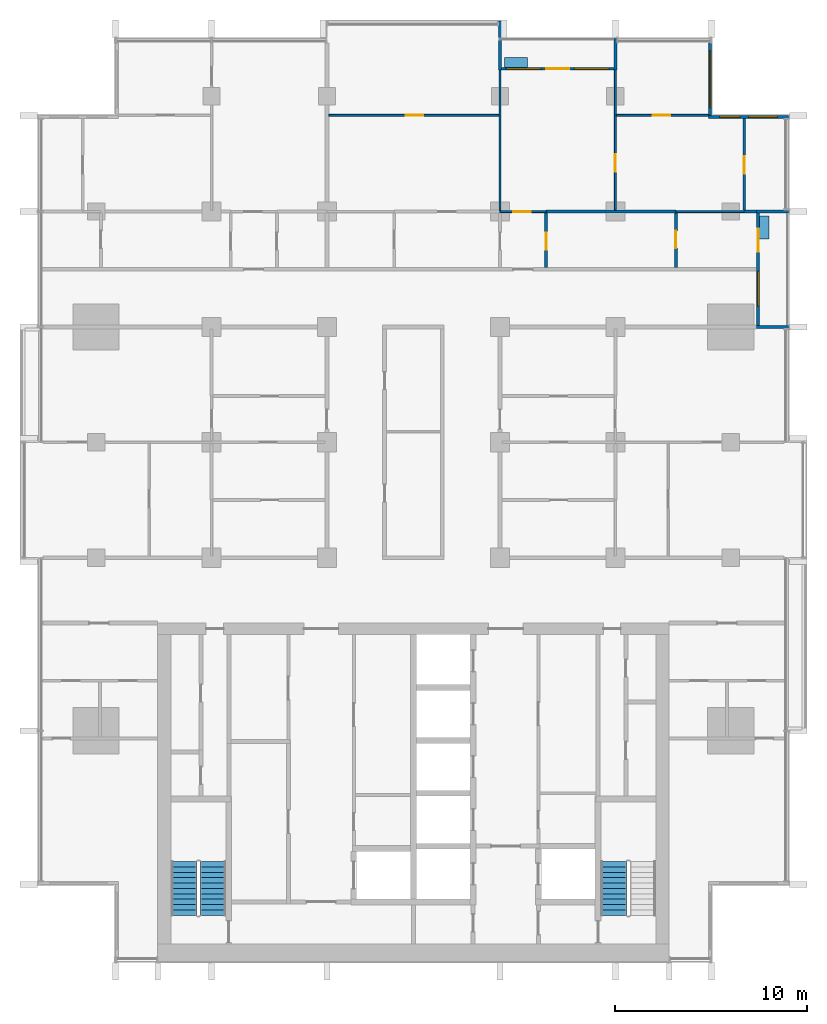
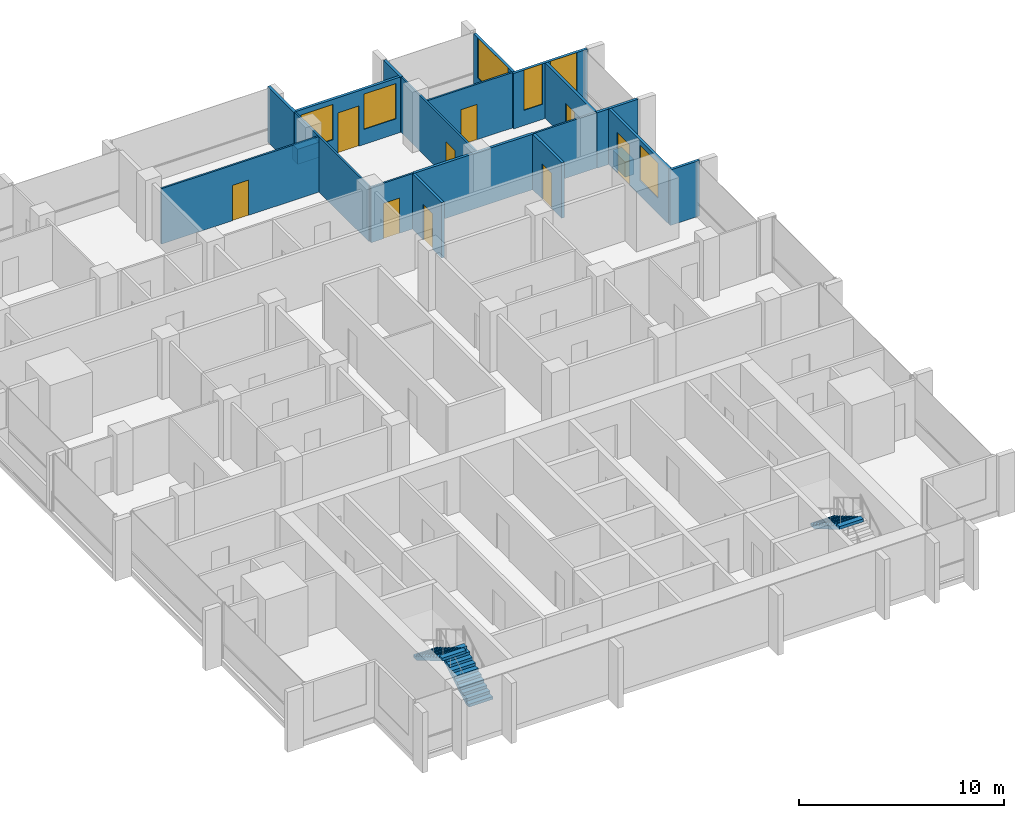
# One storey, part 11 of 17: 21 walls, 9 doors, 6 windows, 3 stair flights, 15 openings, 2 elements without a shape of their own.
"""IFC4 building model written with IfcOpenShell, lengths in metres."""

import ifcopenshell
import ifcopenshell.guid

model = None  # the IFC model being written
_history = None  # IfcOwnerHistory: only IFC2X3 demands one
_inside = {}  # id of a spatial element -> (the spatial element, [elements in it])
_under = {}  # id of a project, library or spatial element -> (it, [spatial elements below it])
_declared = {}  # id of a project -> (the project, [libraries it declares])
_typed = {}  # id of a type object -> (the type object, [elements of that type])
_made_of = {}  # id of a material, layer set ... -> (it, [elements and type objects made of it])


def new_model(schema):
    """Start an empty IFC model of exactly this schema.

    Asked for "IFC4X3", IfcOpenShell would pick the latest addendum, in which some entities
    have other attributes; the version numbers below select the first issue.
    IFC2X3 requires an IfcOwnerHistory on every rooted entity: one is made here for all.
    """
    global model, _history
    if schema == "IFC4X3":
        model = ifcopenshell.file(schema_version=(4, 3, 0, 0))
    else:
        model = ifcopenshell.file(schema=schema)
    _inside.clear()
    _under.clear()
    _declared.clear()
    _typed.clear()
    _made_of.clear()
    _history = None
    if model.schema == "IFC2X3":
        org = make("IfcOrganization", Name="unknown")
        user = make(
            "IfcPersonAndOrganization",
            ThePerson=make("IfcPerson", FamilyName="unknown"),
            TheOrganization=org,
        )
        app = make(
            "IfcApplication",
            ApplicationDeveloper=org,
            Version="unknown",
            ApplicationFullName="unknown",
            ApplicationIdentifier="unknown",
        )
        _history = make(
            "IfcOwnerHistory",
            OwningUser=user,
            OwningApplication=app,
            ChangeAction="ADDED",
            CreationDate=0,
        )
    return model


def make(cls, **values):
    """One entity of the class cls with the attributes given. An attribute that is None is left unset."""
    return model.create_entity(
        cls, **{name: value for name, value in values.items() if value is not None}
    )


def rooted(cls, **values):
    """An entity with a GlobalId (a new one), such as an element, a storey or a relation."""
    return make(cls, GlobalId=ifcopenshell.guid.new(), OwnerHistory=_history, **values)


def si_unit(unit_type, name, prefix=None):
    """IfcSIUnit, for example si_unit("LENGTHUNIT", "METRE", prefix="MILLI")."""
    return make("IfcSIUnit", UnitType=unit_type, Prefix=prefix, Name=name)


def assignment(units):
    """IfcUnitAssignment: the units of a project."""
    return None if units is None else make("IfcUnitAssignment", Units=units)


def point(xyz):
    """IfcCartesianPoint."""
    return None if xyz is None else make("IfcCartesianPoint", Coordinates=xyz)


def direction(xyz):
    """IfcDirection."""
    return None if xyz is None else make("IfcDirection", DirectionRatios=xyz)


def frame(location, z_axis=None, x_axis=None):
    """IfcAxis2Placement3D, a coordinate frame: its origin and axes. An axis left out is left unset."""
    return make(
        "IfcAxis2Placement3D",
        Location=point(location),
        Axis=direction(z_axis),
        RefDirection=direction(x_axis),
    )


def frame_2d(location, x_axis=None):
    """IfcAxis2Placement2D, a coordinate frame in the plane: its origin and x axis."""
    return make(
        "IfcAxis2Placement2D", Location=point(location), RefDirection=direction(x_axis)
    )


def origin():
    """The frame at (0, 0, 0) with its axes left unset."""
    return frame((0.0, 0.0, 0.0))


def place(relative_to, where):
    """IfcLocalPlacement: puts the frame where relative to a parent placement (None: the world)."""
    return make(
        "IfcLocalPlacement", PlacementRelTo=relative_to, RelativePlacement=where
    )


def context(
    kind, dimensions, precision=None, world=None, true_north=None, identifier=None
):
    """IfcGeometricRepresentationContext, for example the 3D "Model" context."""
    return make(
        "IfcGeometricRepresentationContext",
        ContextIdentifier=identifier,
        ContextType=kind,
        CoordinateSpaceDimension=dimensions,
        Precision=precision,
        WorldCoordinateSystem=world,
        TrueNorth=true_north,
    )


def subcontext(parent, identifier, kind, view, scale=None):
    """IfcGeometricRepresentationSubContext, for example "Body" below "Model"."""
    return make(
        "IfcGeometricRepresentationSubContext",
        ContextIdentifier=identifier,
        ContextType=kind,
        ParentContext=parent,
        TargetScale=scale,
        TargetView=view,
    )


def project(units=None, contexts=None):
    """IfcProject with its units and contexts."""
    return rooted(
        "IfcProject",
        Name="project",
        RepresentationContexts=contexts,
        UnitsInContext=assignment(units),
    )


def spatial(cls, under=None, at=None, **own):
    """A site, building, storey or space (cls), placed at a placement, below another one or the project."""
    s = rooted(cls, ObjectPlacement=at, **own)
    if under is not None:
        _under.setdefault(under.id(), (under, []))[1].append(s)
    return s


def polyline(points):
    """IfcPolyline through the points."""
    return make("IfcPolyline", Points=[point(p) for p in points])


def profile(cls, at=None, kind="AREA", **sizes):
    """A parametric profile (cls). Its sizes go by their IFC names, for example OverallWidth=200.0."""
    return make(cls, ProfileType=kind, Position=at, **sizes)


def rectangle(**sizes):
    """IfcRectangleProfileDef."""
    return profile("IfcRectangleProfileDef", **sizes)


def outline(outer, holes=None, kind="AREA"):
    """IfcArbitraryClosedProfileDef: a profile drawn as a closed curve; with holes, ...WithVoids."""
    if holes is None:
        return make("IfcArbitraryClosedProfileDef", ProfileType=kind, OuterCurve=outer)
    return make(
        "IfcArbitraryProfileDefWithVoids",
        ProfileType=kind,
        OuterCurve=outer,
        InnerCurves=holes,
    )


def extrude(swept, where, along, depth):
    """IfcExtrudedAreaSolid: the profile swept, set in the frame where, extruded along a direction by depth."""
    return make(
        "IfcExtrudedAreaSolid",
        SweptArea=swept,
        Position=where,
        ExtrudedDirection=direction(along),
        Depth=depth,
    )


def shape(context_of_items, identifier, shape_type, items):
    """IfcShapeRepresentation: the items that make up one representation, for example the "Body"."""
    return make(
        "IfcShapeRepresentation",
        ContextOfItems=context_of_items,
        RepresentationIdentifier=identifier,
        RepresentationType=shape_type,
        Items=items,
    )


def material(Name=None, Category=None):
    """IfcMaterial."""
    return make("IfcMaterial", Name=Name, Category=Category)


def layer(
    of_material, thickness, ventilated=None, Name=None, Category=None, Priority=None
):
    """IfcMaterialLayer: one layer of a wall or slab, of a material (None: an air gap)."""
    return make(
        "IfcMaterialLayer",
        Material=of_material,
        LayerThickness=thickness,
        IsVentilated=ventilated,
        Name=Name,
        Category=Category,
        Priority=Priority,
    )


def layer_set(layers, Name=None):
    """IfcMaterialLayerSet."""
    return make("IfcMaterialLayerSet", MaterialLayers=layers, LayerSetName=Name)


def made_of(thing, what):
    """Note that an element or type object is made of a material, layer set ...; save() writes the relation."""
    if what is not None:
        _made_of.setdefault(what.id(), (what, []))[1].append(thing)
    return thing


def type_object(cls, material=None, **own):
    """A type object (cls), such as IfcWallType, which elements share."""
    return made_of(rooted(cls, **own), material)


def element(
    cls,
    number,
    at=None,
    inside=None,
    cuts=None,
    type_object=None,
    material=None,
    context=None,
    identifier="Body",
    shape_type=None,
    held_by="IfcProductDefinitionShape",
    body=None,
    shapes=None,
    **own,
):
    """One element of the class cls, such as IfcWall. Its Tag is "e" and its number.

    at: its placement. inside: the storey or other place that contains it. cuts: it is an
    opening in that element (IfcRelVoidsElement). A single representation is given by context,
    identifier, shape_type and body (its items); several are given by shapes. held_by: the class
    of the entity that holds the representations. save() writes the other relations.
    """
    e = rooted(cls, Tag="e%d" % number, ObjectPlacement=at, **own)
    if body is not None:
        shapes = [shape(context, identifier, shape_type, body)]
    if shapes is not None:
        e.Representation = make(held_by, Representations=shapes)
    if inside is not None:
        _inside.setdefault(inside.id(), (inside, []))[1].append(e)
    if cuts is not None:
        rooted(
            "IfcRelVoidsElement", RelatingBuildingElement=cuts, RelatedOpeningElement=e
        )
    if type_object is not None:
        _typed.setdefault(type_object.id(), (type_object, []))[1].append(e)
    return made_of(e, material)


def fill(opening, filler):
    """IfcRelFillsElement: the door or window that sits in an opening."""
    return rooted(
        "IfcRelFillsElement",
        RelatingOpeningElement=opening,
        RelatedBuildingElement=filler,
    )


def aggregate(whole, parts):
    """IfcRelAggregates: a whole, such as a stair, and the parts it consists of."""
    return rooted("IfcRelAggregates", RelatingObject=whole, RelatedObjects=parts)


def save(model, path):
    """Write the relations noted so far, then the file.

    IfcRelAggregates (storeys below a building ...), IfcRelContainedInSpatialStructure (elements
    in a storey), IfcRelDefinesByType, IfcRelAssociatesMaterial and IfcRelDeclares: one each for
    every whole, place, type object, material and project.
    """
    for whole, parts in _under.values():
        aggregate(whole, parts)
    for where, things in _inside.values():
        rooted(
            "IfcRelContainedInSpatialStructure",
            RelatedElements=things,
            RelatingStructure=where,
        )
    for kind, things in _typed.values():
        rooted("IfcRelDefinesByType", RelatedObjects=things, RelatingType=kind)
    for what, things in _made_of.values():
        rooted("IfcRelAssociatesMaterial", RelatedObjects=things, RelatingMaterial=what)
    for by, libraries in _declared.values():
        rooted("IfcRelDeclares", RelatingContext=by, RelatedDefinitions=libraries)
    model.write(path)


model = new_model("IFC4")

# Units and contexts
model_context = context("Model", 3, precision=1e-05, world=origin(), true_north=direction((0.0, 1.0)))
body_context = subcontext(model_context, "Body", "Model", "MODEL_VIEW")
ifc_project = project(units=[si_unit("LENGTHUNIT", "METRE"), si_unit("AREAUNIT", "SQUARE_METRE"), si_unit("VOLUMEUNIT", "CUBIC_METRE"), si_unit("PLANEANGLEUNIT", "RADIAN"), si_unit("MASSUNIT", "GRAM", prefix="KILO")], contexts=[model_context])

# Site, building, storey
site_placement = place(None, origin())
site = spatial("IfcSite", under=ifc_project, at=site_placement, CompositionType="ELEMENT")
building_placement = place(site_placement, origin())
building = spatial("IfcBuilding", under=site, at=building_placement, Name="Finial Court Residences", CompositionType="ELEMENT")
storey_placement = place(building_placement, frame((0.0, 0.0, 170.89990234375)))
storey = spatial("IfcBuildingStorey", under=building, at=storey_placement, Name="L42", CompositionType="ELEMENT", Elevation=170.89990234375)

# Wall, opening, door
ifc_material_1 = material(Name="Gypsum board")
ifc_layer_1 = layer(ifc_material_1, 0.012451171875)
ifc_material_2 = material(Name="Mineral wool in light-gauge frame")
ifc_layer_2 = layer(ifc_material_2, 0.074951171875)
ifc_layer_3 = layer(ifc_material_1, 0.012451171875)
ifc_layer_set_1 = layer_set([ifc_layer_1, ifc_layer_2, ifc_layer_3], Name="Gypsum board partition 100")
wall_type_1 = type_object("IfcWallType", Name="Gypsum board partition 100", PredefinedType="PARTITIONING", material=ifc_layer_set_1)
wall_1_placement = place(storey_placement, frame((4.5, 13.5, 0.0), z_axis=(0.0, 0.0, 1.0), x_axis=(1.0, 0.0, 0.0)))
wall_1 = element("IfcWall", 1, at=wall_1_placement, inside=storey, type_object=wall_type_1, Name="Partition L42-025", PredefinedType="PARTITIONING", context=body_context, shape_type="SweptSolid", body=[
    extrude(rectangle(XDim=2.39990234375, YDim=0.10009765625, at=frame_2d((1.199951171875, 0.0))), origin(), (0.0, 0.0, 1.0), 3.300048828125),
])
opening_1_placement = place(wall_1_placement, frame((0.699951171875, 0.0, 0.0)))
opening_1 = element("IfcOpeningElement", 2, at=opening_1_placement, cuts=wall_1, Name="Opening L42-D020", PredefinedType="OPENING", context=body_context, shape_type="SweptSolid", body=[
    extrude(rectangle(XDim=0.89990234375, YDim=2.10009765625, at=frame_2d((0.449951171875, 1.050048828125))), frame((0.0, 0.06005859375, 0.0), z_axis=(0.0, -1.0, 0.0), x_axis=(1.0, 0.0, 0.0)), (0.0, 0.0, 1.0), 0.1201171875),
])
ifc_material_3 = material(Name="Timber door leaf in timber frame", Category="wood")
door_type_1 = type_object("IfcDoorType", Name="Door set 900 x 2100", OperationType="SINGLE_SWING_LEFT", PredefinedType="DOOR", material=ifc_material_3)
door_1_placement = place(opening_1_placement, origin())
door_1 = element("IfcDoor", 3, at=door_1_placement, inside=storey, type_object=door_type_1, Name="Door L42-D020", OperationType="SINGLE_SWING_RIGHT", OverallHeight=2.10009765625, OverallWidth=0.89990234375, PredefinedType="DOOR", context=body_context, shape_type="SweptSolid", body=[
    extrude(rectangle(XDim=0.89990234375, YDim=2.10009765625, at=frame_2d((0.449951171875, 1.050048828125))), frame((0.0, 0.02490234375, 0.0), z_axis=(0.0, -1.0, 0.0), x_axis=(1.0, 0.0, 0.0)), (0.0, 0.0, 1.0), 0.050048828125),
])
fill(opening_1, door_1)

# Wall
wall_2_placement = place(storey_placement, frame((13.64990234375, 13.5, 0.0), z_axis=(0.0, 0.0, 1.0), x_axis=(1.0, 0.0, 0.0)))
element("IfcWall", 4, at=wall_2_placement, inside=storey, type_object=wall_type_1, Name="Partition L42-026", PredefinedType="PARTITIONING", context=body_context, shape_type="SweptSolid", body=[
    extrude(rectangle(XDim=3.550048828125, YDim=0.10009765625, at=frame_2d((1.77490234375, 0.0))), origin(), (0.0, 0.0, 1.0), 3.300048828125),
])

# Wall, opening, door
wall_3_placement = place(storey_placement, frame((-4.39990234375, 18.5, 0.0), z_axis=(0.0, 0.0, 1.0), x_axis=(1.0, 0.0, 0.0)))
wall_3 = element("IfcWall", 5, at=wall_3_placement, inside=storey, type_object=wall_type_1, Name="Partition L42-034", PredefinedType="PARTITIONING", context=body_context, shape_type="SweptSolid", body=[
    extrude(rectangle(XDim=8.849853515625, YDim=0.10009765625, at=frame_2d((4.4248046875, 0.0))), origin(), (0.0, 0.0, 1.0), 3.300048828125),
])
opening_2_placement = place(wall_3_placement, frame((4.0, 0.0, 0.0)))
opening_2 = element("IfcOpeningElement", 6, at=opening_2_placement, cuts=wall_3, Name="Opening L42-D023", PredefinedType="OPENING", context=body_context, shape_type="SweptSolid", body=[
    extrude(rectangle(XDim=0.89990234375, YDim=2.10009765625, at=frame_2d((0.449951171875, 1.050048828125))), frame((0.0, 0.06005859375, 0.0), z_axis=(0.0, -1.0, 0.0), x_axis=(1.0, 0.0, 0.0)), (0.0, 0.0, 1.0), 0.1201171875),
])
door_2_placement = place(opening_2_placement, origin())
door_2 = element("IfcDoor", 7, at=door_2_placement, inside=storey, type_object=door_type_1, Name="Door L42-D023", OperationType="SINGLE_SWING_LEFT", OverallHeight=2.10009765625, OverallWidth=0.89990234375, PredefinedType="DOOR", context=body_context, shape_type="SweptSolid", body=[
    extrude(rectangle(XDim=0.89990234375, YDim=2.10009765625, at=frame_2d((0.449951171875, 1.050048828125))), frame((0.0, 0.02490234375, 0.0), z_axis=(0.0, -1.0, 0.0), x_axis=(1.0, 0.0, 0.0)), (0.0, 0.0, 1.0), 0.050048828125),
])
fill(opening_2, door_2)

wall_4_placement = place(storey_placement, frame((10.550048828125, 18.5, 0.0), z_axis=(0.0, 0.0, 1.0), x_axis=(1.0, 0.0, 0.0)))
wall_4 = element("IfcWall", 8, at=wall_4_placement, inside=storey, type_object=wall_type_1, Name="Partition L42-035", PredefinedType="PARTITIONING", context=body_context, shape_type="SweptSolid", body=[
    extrude(rectangle(XDim=4.800048828125, YDim=0.10009765625, at=frame_2d((2.39990234375, 0.0))), origin(), (0.0, 0.0, 1.0), 3.300048828125),
])
opening_3_placement = place(wall_4_placement, frame((1.89990234375, 0.0, 0.0)))
opening_3 = element("IfcOpeningElement", 9, at=opening_3_placement, cuts=wall_4, Name="Opening L42-D024", PredefinedType="OPENING", context=body_context, shape_type="SweptSolid", body=[
    extrude(rectangle(XDim=0.89990234375, YDim=2.10009765625, at=frame_2d((0.449951171875, 1.050048828125))), frame((0.0, 0.06005859375, 0.0), z_axis=(0.0, -1.0, 0.0), x_axis=(1.0, 0.0, 0.0)), (0.0, 0.0, 1.0), 0.1201171875),
])
door_3_placement = place(opening_3_placement, origin())
door_3 = element("IfcDoor", 10, at=door_3_placement, inside=storey, type_object=door_type_1, Name="Door L42-D024", OperationType="SINGLE_SWING_LEFT", OverallHeight=2.10009765625, OverallWidth=0.89990234375, PredefinedType="DOOR", context=body_context, shape_type="SweptSolid", body=[
    extrude(rectangle(XDim=0.89990234375, YDim=2.10009765625, at=frame_2d((0.449951171875, 1.050048828125))), frame((0.0, 0.02490234375, 0.0), z_axis=(0.0, -1.0, 0.0), x_axis=(1.0, 0.0, 0.0)), (0.0, 0.0, 1.0), 0.050048828125),
])
fill(opening_3, door_3)

# Wall
wall_5_placement = place(storey_placement, frame((4.5, 13.574951171875, 0.0), z_axis=(0.0, 0.0, 1.0), x_axis=(0.0, 1.0, 0.0)))
element("IfcWall", 11, at=wall_5_placement, inside=storey, type_object=wall_type_1, Name="Partition L42-054", PredefinedType="PARTITIONING", context=body_context, shape_type="SweptSolid", body=[
    extrude(rectangle(XDim=7.275146484375, YDim=0.10009765625, at=frame_2d((3.6376953125, 0.0))), origin(), (0.0, 0.0, 1.0), 3.300048828125),
])

# Wall, opening, door
wall_6_placement = place(storey_placement, frame((10.5, 13.574951171875, 0.0), z_axis=(0.0, 0.0, 1.0), x_axis=(0.0, 1.0, 0.0)))
wall_6 = element("IfcWall", 12, at=wall_6_placement, inside=storey, type_object=wall_type_1, Name="Partition L42-059", PredefinedType="PARTITIONING", context=body_context, shape_type="SweptSolid", body=[
    extrude(rectangle(XDim=7.275146484375, YDim=0.10009765625, at=frame_2d((3.6376953125, 0.0))), origin(), (0.0, 0.0, 1.0), 3.300048828125),
])
opening_4_placement = place(wall_6_placement, frame((2.0, 0.0, 0.0)))
opening_4 = element("IfcOpeningElement", 13, at=opening_4_placement, cuts=wall_6, Name="Opening L42-D040", PredefinedType="OPENING", context=body_context, shape_type="SweptSolid", body=[
    extrude(rectangle(XDim=0.89990234375, YDim=2.10009765625, at=frame_2d((0.449951171875, 1.050048828125))), frame((0.0, 0.06005859375, 0.0), z_axis=(0.0, -1.0, 0.0), x_axis=(1.0, 0.0, 0.0)), (0.0, 0.0, 1.0), 0.1201171875),
])
door_4_placement = place(opening_4_placement, origin())
door_4 = element("IfcDoor", 14, at=door_4_placement, inside=storey, type_object=door_type_1, Name="Door L42-D040", OperationType="SINGLE_SWING_LEFT", OverallHeight=2.10009765625, OverallWidth=0.89990234375, PredefinedType="DOOR", context=body_context, shape_type="SweptSolid", body=[
    extrude(rectangle(XDim=0.89990234375, YDim=2.10009765625, at=frame_2d((0.449951171875, 1.050048828125))), frame((0.0, 0.02490234375, 0.0), z_axis=(0.0, -1.0, 0.0), x_axis=(1.0, 0.0, 0.0)), (0.0, 0.0, 1.0), 0.050048828125),
])
fill(opening_4, door_4)

# Walls
ifc_material_4 = material(Name="Moisture-resistant gypsum board")
ifc_layer_4 = layer(ifc_material_4, 0.012451171875)
ifc_layer_5 = layer(ifc_material_2, 0.125)
ifc_layer_6 = layer(ifc_material_4, 0.012451171875)
ifc_layer_set_2 = layer_set([ifc_layer_4, ifc_layer_5, ifc_layer_6], Name="Gypsum board wet-area partition 150")
wall_type_2 = type_object("IfcWallType", Name="Gypsum board wet-area partition 150", PredefinedType="PARTITIONING", material=ifc_layer_set_2)
wall_7_placement = place(storey_placement, frame((6.89990234375, 13.5, 0.0), z_axis=(0.0, 0.0, 1.0), x_axis=(1.0, 0.0, 0.0)))
element("IfcWall", 15, at=wall_7_placement, inside=storey, type_object=wall_type_2, Name="Partition L42-031", PredefinedType="PARTITIONING", context=body_context, shape_type="SweptSolid", body=[
    extrude(rectangle(XDim=6.75, YDim=0.14990234375, at=frame_2d((3.375, 0.0))), origin(), (0.0, 0.0, 1.0), 3.300048828125),
])
wall_8_placement = place(storey_placement, frame((17.199951171875, 13.5, 0.0), z_axis=(0.0, 0.0, 1.0), x_axis=(1.0, 0.0, 0.0)))
element("IfcWall", 16, at=wall_8_placement, inside=storey, type_object=wall_type_2, Name="Partition L42-032", PredefinedType="PARTITIONING", context=body_context, shape_type="SweptSolid", body=[
    extrude(rectangle(XDim=0.650146484375, YDim=0.14990234375, at=frame_2d((0.3251953125, 0.0))), origin(), (0.0, 0.0, 1.0), 3.300048828125),
])

# Wall, opening, door
wall_9_placement = place(storey_placement, frame((6.89990234375, 10.60009765625, 0.0), z_axis=(0.0, 0.0, 1.0), x_axis=(0.0, 1.0, 0.0)))
wall_9 = element("IfcWall", 17, at=wall_9_placement, inside=storey, type_object=wall_type_2, Name="Partition L42-056", PredefinedType="PARTITIONING", context=body_context, shape_type="SweptSolid", body=[
    extrude(rectangle(XDim=2.824951171875, YDim=0.14990234375, at=frame_2d((1.41259765625, 0.0))), origin(), (0.0, 0.0, 1.0), 3.300048828125),
])
opening_5_placement = place(wall_9_placement, frame((0.89990234375, 0.0, 0.0)))
opening_5 = element("IfcOpeningElement", 18, at=opening_5_placement, cuts=wall_9, Name="Opening L42-D038", PredefinedType="OPENING", context=body_context, shape_type="SweptSolid", body=[
    extrude(rectangle(XDim=0.89990234375, YDim=2.10009765625, at=frame_2d((0.449951171875, 1.050048828125))), frame((0.0, 0.0849609375, 0.0), z_axis=(0.0, -1.0, 0.0), x_axis=(1.0, 0.0, 0.0)), (0.0, 0.0, 1.0), 0.169921875),
])
door_5_placement = place(opening_5_placement, origin())
door_5 = element("IfcDoor", 19, at=door_5_placement, inside=storey, type_object=door_type_1, Name="Door L42-D038", OperationType="SINGLE_SWING_RIGHT", OverallHeight=2.10009765625, OverallWidth=0.89990234375, PredefinedType="DOOR", context=body_context, shape_type="SweptSolid", body=[
    extrude(rectangle(XDim=0.89990234375, YDim=2.10009765625, at=frame_2d((0.449951171875, 1.050048828125))), frame((0.0, 0.02490234375, 0.0), z_axis=(0.0, -1.0, 0.0), x_axis=(1.0, 0.0, 0.0)), (0.0, 0.0, 1.0), 0.050048828125),
])
fill(opening_5, door_5)

wall_10_placement = place(storey_placement, frame((13.64990234375, 10.60009765625, 0.0), z_axis=(0.0, 0.0, 1.0), x_axis=(0.0, 1.0, 0.0)))
wall_10 = element("IfcWall", 20, at=wall_10_placement, inside=storey, type_object=wall_type_2, Name="Partition L42-063", PredefinedType="PARTITIONING", context=body_context, shape_type="SweptSolid", body=[
    extrude(rectangle(XDim=2.824951171875, YDim=0.14990234375, at=frame_2d((1.41259765625, 0.0))), origin(), (0.0, 0.0, 1.0), 3.300048828125),
])
opening_6_placement = place(wall_10_placement, frame((1.0, 0.0, 0.0)))
opening_6 = element("IfcOpeningElement", 21, at=opening_6_placement, cuts=wall_10, Name="Opening L42-D042", PredefinedType="OPENING", context=body_context, shape_type="SweptSolid", body=[
    extrude(rectangle(XDim=0.89990234375, YDim=2.10009765625, at=frame_2d((0.449951171875, 1.050048828125))), frame((0.0, 0.0849609375, 0.0), z_axis=(0.0, -1.0, 0.0), x_axis=(1.0, 0.0, 0.0)), (0.0, 0.0, 1.0), 0.169921875),
])
door_6_placement = place(opening_6_placement, origin())
door_6 = element("IfcDoor", 22, at=door_6_placement, inside=storey, type_object=door_type_1, Name="Door L42-D042", OperationType="SINGLE_SWING_LEFT", OverallHeight=2.10009765625, OverallWidth=0.89990234375, PredefinedType="DOOR", context=body_context, shape_type="SweptSolid", body=[
    extrude(rectangle(XDim=0.89990234375, YDim=2.10009765625, at=frame_2d((0.449951171875, 1.050048828125))), frame((0.0, 0.02490234375, 0.0), z_axis=(0.0, -1.0, 0.0), x_axis=(1.0, 0.0, 0.0)), (0.0, 0.0, 1.0), 0.050048828125),
])
fill(opening_6, door_6)

wall_11_placement = place(storey_placement, frame((17.199951171875, 13.574951171875, 0.0), z_axis=(0.0, 0.0, 1.0), x_axis=(0.0, 1.0, 0.0)))
wall_11 = element("IfcWall", 23, at=wall_11_placement, inside=storey, type_object=wall_type_2, Name="Partition L42-065", PredefinedType="PARTITIONING", context=body_context, shape_type="SweptSolid", body=[
    extrude(rectangle(XDim=4.775146484375, YDim=0.14990234375, at=frame_2d((2.3876953125, 0.0))), origin(), (0.0, 0.0, 1.0), 3.300048828125),
])
opening_7_placement = place(wall_11_placement, frame((1.89990234375, 0.0, 0.0)))
opening_7 = element("IfcOpeningElement", 24, at=opening_7_placement, cuts=wall_11, Name="Opening L42-D043", PredefinedType="OPENING", context=body_context, shape_type="SweptSolid", body=[
    extrude(rectangle(XDim=0.89990234375, YDim=2.10009765625, at=frame_2d((0.449951171875, 1.050048828125))), frame((0.0, 0.0849609375, 0.0), z_axis=(0.0, -1.0, 0.0), x_axis=(1.0, 0.0, 0.0)), (0.0, 0.0, 1.0), 0.169921875),
])
door_7_placement = place(opening_7_placement, origin())
door_7 = element("IfcDoor", 25, at=door_7_placement, inside=storey, type_object=door_type_1, Name="Door L42-D043", OperationType="SINGLE_SWING_LEFT", OverallHeight=2.10009765625, OverallWidth=0.89990234375, PredefinedType="DOOR", context=body_context, shape_type="SweptSolid", body=[
    extrude(rectangle(XDim=0.89990234375, YDim=2.10009765625, at=frame_2d((0.449951171875, 1.050048828125))), frame((0.0, 0.02490234375, 0.0), z_axis=(0.0, -1.0, 0.0), x_axis=(1.0, 0.0, 0.0)), (0.0, 0.0, 1.0), 0.050048828125),
])
fill(opening_7, door_7)

# Wall, opening, window
ifc_material_5 = material(Name="Natural limestone", Category="masonry")
ifc_layer_7 = layer(ifc_material_5, 0.14990234375)
ifc_layer_set_3 = layer_set([ifc_layer_7], Name="Limestone clad wall 150")
wall_type_3 = type_object("IfcWallType", Name="Limestone clad wall 150", PredefinedType="SOLIDWALL", material=ifc_layer_set_3)
wall_12_placement = place(storey_placement, frame((15.425048828125, 22.262451171875, 0.0), z_axis=(0.0, 0.0, 1.0), x_axis=(0.0, -1.0, 0.0)))
wall_12 = element("IfcWall", 26, at=wall_12_placement, inside=storey, type_object=wall_type_3, Name="E-L42-NWE19", PredefinedType="SOLIDWALL", context=body_context, shape_type="SweptSolid", body=[
    extrude(rectangle(XDim=3.762451171875, YDim=0.14990234375, at=frame_2d((1.88134765625, 0.0))), origin(), (0.0, 0.0, 1.0), 3.300048828125),
])
opening_8_placement = place(wall_12_placement, frame((0.401123046875, 0.0, 0.89990234375)))
opening_8 = element("IfcOpeningElement", 27, at=opening_8_placement, cuts=wall_12, Name="Opening WE42-08", PredefinedType="OPENING", context=body_context, shape_type="SweptSolid", body=[
    extrude(rectangle(XDim=2.9599609375, YDim=2.39990234375, at=frame_2d((1.47998046875, 1.199951171875))), frame((0.0, 0.0849609375, 0.0), z_axis=(0.0, -1.0, 0.0), x_axis=(1.0, 0.0, 0.0)), (0.0, 0.0, 1.0), 0.169921875),
])
ifc_material_6 = material(Name="Clear low-e glass", Category="glass")
window_type_1 = type_object("IfcWindowType", Name="Corner window 2960 x 2400", PartitioningType="SINGLE_PANEL", PredefinedType="WINDOW", material=ifc_material_6)
window_1_placement = place(opening_8_placement, origin())
window_1 = element("IfcWindow", 28, at=window_1_placement, inside=storey, type_object=window_type_1, Name="E-L42-NWE19-W1", OverallHeight=2.39990234375, OverallWidth=2.9599609375, PartitioningType="SINGLE_PANEL", PredefinedType="WINDOW", context=body_context, shape_type="SweptSolid", body=[
    extrude(rectangle(XDim=2.9599609375, YDim=2.39990234375, at=frame_2d((1.47998046875, 1.199951171875))), frame((0.0, 0.030029296875, 0.0), z_axis=(0.0, -1.0, 0.0), x_axis=(1.0, 0.0, 0.0)), (0.0, 0.0, 1.0), 0.06005859375),
])
fill(opening_8, window_1)

# Wall, openings, windows
wall_13_placement = place(storey_placement, frame((15.35009765625, 18.425048828125, 0.0), z_axis=(0.0, 0.0, 1.0), x_axis=(1.0, 0.0, 0.0)))
wall_13 = element("IfcWall", 29, at=wall_13_placement, inside=storey, type_object=wall_type_3, Name="E-L42-NWN20", PredefinedType="SOLIDWALL", context=body_context, shape_type="SweptSolid", body=[
    extrude(rectangle(XDim=4.14990234375, YDim=0.14990234375, at=frame_2d((2.074951171875, 0.0))), origin(), (0.0, 0.0, 1.0), 3.300048828125),
])
opening_9_placement = place(wall_13_placement, frame((0.574951171875, 0.0, 0.89990234375)))
opening_9 = element("IfcOpeningElement", 30, at=opening_9_placement, cuts=wall_13, Name="Opening WE42-09", PredefinedType="OPENING", context=body_context, shape_type="SweptSolid", body=[
    extrude(rectangle(XDim=1.050048828125, YDim=2.39990234375, at=frame_2d((0.52490234375, 1.199951171875))), frame((0.0, 0.0849609375, 0.0), z_axis=(0.0, -1.0, 0.0), x_axis=(1.0, 0.0, 0.0)), (0.0, 0.0, 1.0), 0.169921875),
])
opening_10_placement = place(wall_13_placement, frame((2.074951171875, 0.0, 0.89990234375)))
opening_10 = element("IfcOpeningElement", 31, at=opening_10_placement, cuts=wall_13, Name="Opening WE42-10", PredefinedType="OPENING", context=body_context, shape_type="SweptSolid", body=[
    extrude(rectangle(XDim=1.5, YDim=2.39990234375, at=frame_2d((0.75, 1.199951171875))), frame((0.0, 0.0849609375, 0.0), z_axis=(0.0, -1.0, 0.0), x_axis=(1.0, 0.0, 0.0)), (0.0, 0.0, 1.0), 0.169921875),
])
window_type_2 = type_object("IfcWindowType", Name="Corner window 1050 x 2400", PartitioningType="SINGLE_PANEL", PredefinedType="WINDOW", material=ifc_material_6)
window_2_placement = place(opening_9_placement, origin())
window_2 = element("IfcWindow", 32, at=window_2_placement, inside=storey, type_object=window_type_2, Name="E-L42-NWN20-W1", OverallHeight=2.39990234375, OverallWidth=1.050048828125, PartitioningType="SINGLE_PANEL", PredefinedType="WINDOW", context=body_context, shape_type="SweptSolid", body=[
    extrude(rectangle(XDim=1.050048828125, YDim=2.39990234375, at=frame_2d((0.52490234375, 1.199951171875))), frame((0.0, 0.030029296875, 0.0), z_axis=(0.0, -1.0, 0.0), x_axis=(1.0, 0.0, 0.0)), (0.0, 0.0, 1.0), 0.06005859375),
])
fill(opening_9, window_2)
window_type_3 = type_object("IfcWindowType", Name="Corner window 1500 x 2400", PartitioningType="SINGLE_PANEL", PredefinedType="WINDOW", material=ifc_material_6)
window_3_placement = place(opening_10_placement, origin())
window_3 = element("IfcWindow", 33, at=window_3_placement, inside=storey, type_object=window_type_3, Name="E-L42-NWN20-W2", OverallHeight=2.39990234375, OverallWidth=1.5, PartitioningType="SINGLE_PANEL", PredefinedType="WINDOW", context=body_context, shape_type="SweptSolid", body=[
    extrude(rectangle(XDim=1.5, YDim=2.39990234375, at=frame_2d((0.75, 1.199951171875))), frame((0.0, 0.030029296875, 0.0), z_axis=(0.0, -1.0, 0.0), x_axis=(1.0, 0.0, 0.0)), (0.0, 0.0, 1.0), 0.06005859375),
])
fill(opening_10, window_3)

# Walls
wall_14_placement = place(storey_placement, frame((4.5, 20.85009765625, 0.0), z_axis=(0.0, 0.0, 1.0), x_axis=(0.0, 1.0, 0.0)))
element("IfcWall", 34, at=wall_14_placement, inside=storey, type_object=wall_type_3, Name="E-L42-BALN4-P1", PredefinedType="SOLIDWALL", context=body_context, shape_type="SweptSolid", body=[
    extrude(rectangle(XDim=2.5498046875, YDim=0.14990234375, at=frame_2d((1.27490234375, 0.0))), origin(), (0.0, 0.0, 1.0), 3.300048828125),
])
wall_15_placement = place(storey_placement, frame((10.5, 20.85009765625, 0.0), z_axis=(0.0, 0.0, 1.0), x_axis=(0.0, 1.0, 0.0)))
element("IfcWall", 35, at=wall_15_placement, inside=storey, type_object=wall_type_3, Name="E-L42-BALN4-P2", PredefinedType="SOLIDWALL", context=body_context, shape_type="SweptSolid", body=[
    extrude(rectangle(XDim=1.64990234375, YDim=0.14990234375, at=frame_2d((0.824951171875, 0.0))), origin(), (0.0, 0.0, 1.0), 3.300048828125),
])

# Wall, openings, door, windows
wall_16_placement = place(storey_placement, frame((4.574951171875, 20.925048828125, 0.0), z_axis=(0.0, 0.0, 1.0), x_axis=(1.0, 0.0, 0.0)))
wall_16 = element("IfcWall", 36, at=wall_16_placement, inside=storey, type_object=wall_type_3, Name="E-L42-L42-BALN4-W", PredefinedType="SOLIDWALL", context=body_context, shape_type="SweptSolid", body=[
    extrude(rectangle(XDim=5.85009765625, YDim=0.14990234375, at=frame_2d((2.925048828125, 0.0))), origin(), (0.0, 0.0, 1.0), 3.300048828125),
])
opening_11_placement = place(wall_16_placement, frame((2.324951171875, 0.0, 0.0)))
opening_11 = element("IfcOpeningElement", 37, at=opening_11_placement, cuts=wall_16, Name="Opening DE42-01", PredefinedType="OPENING", context=body_context, shape_type="SweptSolid", body=[
    extrude(rectangle(XDim=1.199951171875, YDim=2.39990234375, at=frame_2d((0.60009765625, 1.199951171875))), frame((0.0, 0.0849609375, 0.0), z_axis=(0.0, -1.0, 0.0), x_axis=(1.0, 0.0, 0.0)), (0.0, 0.0, 1.0), 0.169921875),
])
opening_12_placement = place(wall_16_placement, frame((0.262451171875, 0.0, 0.89990234375)))
opening_12 = element("IfcOpeningElement", 38, at=opening_12_placement, cuts=wall_16, Name="Opening WE42-11", PredefinedType="OPENING", context=body_context, shape_type="SweptSolid", body=[
    extrude(rectangle(XDim=1.800048828125, YDim=2.10009765625, at=frame_2d((0.89990234375, 1.050048828125))), frame((0.0, 0.0849609375, 0.0), z_axis=(0.0, -1.0, 0.0), x_axis=(1.0, 0.0, 0.0)), (0.0, 0.0, 1.0), 0.169921875),
])
opening_13_placement = place(wall_16_placement, frame((3.78759765625, 0.0, 0.89990234375)))
opening_13 = element("IfcOpeningElement", 39, at=opening_13_placement, cuts=wall_16, Name="Opening WE42-12", PredefinedType="OPENING", context=body_context, shape_type="SweptSolid", body=[
    extrude(rectangle(XDim=1.800048828125, YDim=2.10009765625, at=frame_2d((0.89990234375, 1.050048828125))), frame((0.0, 0.0849609375, 0.0), z_axis=(0.0, -1.0, 0.0), x_axis=(1.0, 0.0, 0.0)), (0.0, 0.0, 1.0), 0.169921875),
])
ifc_material_7 = material(Name="Bronze anodised aluminium", Category="aluminium")
door_type_2 = type_object("IfcDoorType", Name="Balcony door 1200 x 2400", OperationType="SINGLE_SWING_LEFT", PredefinedType="DOOR", material=ifc_material_7)
door_8_placement = place(opening_11_placement, origin())
door_8 = element("IfcDoor", 40, at=door_8_placement, inside=storey, type_object=door_type_2, Name="E-L42-L42-BALN4-W-D", OperationType="SINGLE_SWING_LEFT", OverallHeight=2.39990234375, OverallWidth=1.199951171875, PredefinedType="DOOR", context=body_context, shape_type="SweptSolid", body=[
    extrude(rectangle(XDim=1.199951171875, YDim=2.39990234375, at=frame_2d((0.60009765625, 1.199951171875))), frame((0.0, 0.02490234375, 0.0), z_axis=(0.0, -1.0, 0.0), x_axis=(1.0, 0.0, 0.0)), (0.0, 0.0, 1.0), 0.050048828125),
])
fill(opening_11, door_8)
window_type_4 = type_object("IfcWindowType", Name="Balcony window 1800 x 2100", PartitioningType="SINGLE_PANEL", PredefinedType="WINDOW", material=ifc_material_6)
window_4_placement = place(opening_12_placement, origin())
window_4 = element("IfcWindow", 41, at=window_4_placement, inside=storey, type_object=window_type_4, Name="E-L42-L42-BALN4-W-W1", OverallHeight=2.10009765625, OverallWidth=1.800048828125, PartitioningType="SINGLE_PANEL", PredefinedType="WINDOW", context=body_context, shape_type="SweptSolid", body=[
    extrude(rectangle(XDim=1.800048828125, YDim=2.10009765625, at=frame_2d((0.89990234375, 1.050048828125))), frame((0.0, 0.030029296875, 0.0), z_axis=(0.0, -1.0, 0.0), x_axis=(1.0, 0.0, 0.0)), (0.0, 0.0, 1.0), 0.06005859375),
])
fill(opening_12, window_4)
window_5_placement = place(opening_13_placement, origin())
window_5 = element("IfcWindow", 42, at=window_5_placement, inside=storey, type_object=window_type_4, Name="E-L42-L42-BALN4-W-W2", OverallHeight=2.10009765625, OverallWidth=1.800048828125, PartitioningType="SINGLE_PANEL", PredefinedType="WINDOW", context=body_context, shape_type="SweptSolid", body=[
    extrude(rectangle(XDim=1.800048828125, YDim=2.10009765625, at=frame_2d((0.89990234375, 1.050048828125))), frame((0.0, 0.030029296875, 0.0), z_axis=(0.0, -1.0, 0.0), x_axis=(1.0, 0.0, 0.0)), (0.0, 0.0, 1.0), 0.06005859375),
])
fill(opening_13, window_5)

# Walls
for number, where, z_axis, x_axis, name in (
    (43, (17.85009765625, 7.5, 0.0), (0.0, 0.0, 1.0), (1.0, 0.0, 0.0), "E-L42-BALE5-P1"),
    (44, (17.85009765625, 13.5, 0.0), (0.0, 0.0, 1.0), (1.0, 0.0, 0.0), "E-L42-BALE5-P2"),
):
    element("IfcWall", number, at=place(storey_placement, frame(where, z_axis=z_axis, x_axis=x_axis)), inside=storey, type_object=wall_type_3, Name=name, PredefinedType="SOLIDWALL", context=body_context, shape_type="SweptSolid", body=[
        extrude(rectangle(XDim=1.64990234375, YDim=0.14990234375, at=frame_2d((0.824951171875, 0.0))), origin(), (0.0, 0.0, 1.0), 3.300048828125),
    ])

# Wall, openings, door, window
wall_17_placement = place(storey_placement, frame((17.925048828125, 13.425048828125, 0.0), z_axis=(0.0, 0.0, 1.0), x_axis=(0.0, -1.0, 0.0)))
wall_17 = element("IfcWall", 45, at=wall_17_placement, inside=storey, type_object=wall_type_3, Name="E-L42-L42-BALE5-W", PredefinedType="SOLIDWALL", context=body_context, shape_type="SweptSolid", body=[
    extrude(rectangle(XDim=5.85009765625, YDim=0.14990234375, at=frame_2d((2.925048828125, 0.0))), origin(), (0.0, 0.0, 1.0), 3.300048828125),
])
opening_14_placement = place(wall_17_placement, frame((0.824951171875, 0.0, 0.0)))
opening_14 = element("IfcOpeningElement", 46, at=opening_14_placement, cuts=wall_17, Name="Opening DE42-02", PredefinedType="OPENING", context=body_context, shape_type="SweptSolid", body=[
    extrude(rectangle(XDim=1.199951171875, YDim=2.39990234375, at=frame_2d((0.60009765625, 1.199951171875))), frame((0.0, 0.0849609375, 0.0), z_axis=(0.0, -1.0, 0.0), x_axis=(1.0, 0.0, 0.0)), (0.0, 0.0, 1.0), 0.169921875),
])
opening_15_placement = place(wall_17_placement, frame((3.03759765625, 0.0, 0.89990234375)))
opening_15 = element("IfcOpeningElement", 47, at=opening_15_placement, cuts=wall_17, Name="Opening WE42-13", PredefinedType="OPENING", context=body_context, shape_type="SweptSolid", body=[
    extrude(rectangle(XDim=1.800048828125, YDim=2.10009765625, at=frame_2d((0.89990234375, 1.050048828125))), frame((0.0, 0.0849609375, 0.0), z_axis=(0.0, -1.0, 0.0), x_axis=(1.0, 0.0, 0.0)), (0.0, 0.0, 1.0), 0.169921875),
])
door_9_placement = place(opening_14_placement, origin())
door_9 = element("IfcDoor", 48, at=door_9_placement, inside=storey, type_object=door_type_2, Name="E-L42-L42-BALE5-W-D", OperationType="SINGLE_SWING_RIGHT", OverallHeight=2.39990234375, OverallWidth=1.199951171875, PredefinedType="DOOR", context=body_context, shape_type="SweptSolid", body=[
    extrude(rectangle(XDim=1.199951171875, YDim=2.39990234375, at=frame_2d((0.60009765625, 1.199951171875))), frame((0.0, 0.02490234375, 0.0), z_axis=(0.0, -1.0, 0.0), x_axis=(1.0, 0.0, 0.0)), (0.0, 0.0, 1.0), 0.050048828125),
])
fill(opening_14, door_9)
window_6_placement = place(opening_15_placement, origin())
window_6 = element("IfcWindow", 49, at=window_6_placement, inside=storey, type_object=window_type_4, Name="E-L42-L42-BALE5-W-W1", OverallHeight=2.10009765625, OverallWidth=1.800048828125, PartitioningType="SINGLE_PANEL", PredefinedType="WINDOW", context=body_context, shape_type="SweptSolid", body=[
    extrude(rectangle(XDim=1.800048828125, YDim=2.10009765625, at=frame_2d((0.89990234375, 1.050048828125))), frame((0.0, 0.030029296875, 0.0), z_axis=(0.0, -1.0, 0.0), x_axis=(1.0, 0.0, 0.0)), (0.0, 0.0, 1.0), 0.06005859375),
])
fill(opening_15, window_6)

# Walls
ifc_material_8 = material(Name="Concrete C40/50", Category="concrete")
ifc_layer_8 = layer(ifc_material_8, 0.10009765625)
ifc_material_9 = material(Name="Planting soil", Category="soil")
ifc_layer_9 = layer(ifc_material_9, 0.300048828125)
ifc_layer_10 = layer(ifc_material_8, 0.10009765625)
ifc_layer_set_4 = layer_set([ifc_layer_8, ifc_layer_9, ifc_layer_10], Name="Planter wall, balcony")
wall_type_4 = type_object("IfcWallType", Name="Planter wall, balcony", PredefinedType="USERDEFINED", material=ifc_layer_set_4)
for number, where, z_axis, x_axis, name in (
    (50, (4.72509765625, 21.25, 0.0), (0.0, 0.0, 1.0), (1.0, 0.0, 0.0), "E-L42-BALN4-PL"),
    (51, (18.25, 12.074951171875, 0.0), (0.0, 0.0, 1.0), (0.0, 1.0, 0.0), "E-L42-BALE5-PL"),
):
    element("IfcWall", number, at=place(storey_placement, frame(where, z_axis=z_axis, x_axis=x_axis)), inside=storey, type_object=wall_type_4, Name=name, ObjectType="PLANTER", PredefinedType="USERDEFINED", context=body_context, shape_type="SweptSolid", body=[
        extrude(rectangle(XDim=1.199951171875, YDim=0.5, at=frame_2d((0.60009765625, 0.0))), origin(), (0.0, 0.0, 1.0), 0.900146484375),
    ])

# Stair, stair flights
ifc_material_10 = material(Name="Concrete C50/60", Category="concrete")
stair_type = type_object("IfcStairType", Name="Exit stair 22 risers of 163.6 mm", PredefinedType="HALF_TURN_STAIR", material=ifc_material_10)
stair_1_placement = place(storey_placement, origin())
stair_1 = element("IfcStair", 52, at=stair_1_placement, inside=storey, type_object=stair_type, Name="L42 Exit stair ST-1", PredefinedType="HALF_TURN_STAIR")
stair_flight_type = type_object("IfcStairFlightType", Name="Exit stair flight", PredefinedType="STRAIGHT", material=ifc_material_10)
stair_flight_1_placement = place(storey_placement, frame((-10.425048828125, -23.10009765625, 0.0), z_axis=(0.0, 0.0, 1.0), x_axis=(0.0, 1.0, 0.0)))
stair_flight_1 = element("IfcStairFlight", 53, at=stair_flight_1_placement, type_object=stair_flight_type, Name="ST-1 flight 1", NumberOfRisers=11, NumberOfTreads=10, PredefinedType="STRAIGHT", RiserHeight=0.163636364, TreadLength=0.28, context=body_context, shape_type="SweptSolid", body=[
    extrude(outline(polyline([(0.0, 0.0), (0.0, 0.16357421875), (0.280029296875, 0.16357421875), (0.280029296875, 0.327392578125), (0.56005859375, 0.327392578125), (0.56005859375, 0.490966796875), (0.840087890625, 0.490966796875), (0.840087890625, 0.654541015625), (1.1201171875, 0.654541015625), (1.1201171875, 0.818115234375), (1.39990234375, 0.818115234375), (1.39990234375, 0.98193359375), (1.679931640625, 0.98193359375), (1.679931640625, 1.1455078125), (1.9599609375, 1.1455078125), (1.9599609375, 1.30908203125), (2.239990234375, 1.30908203125), (2.239990234375, 1.47265625), (2.52001953125, 1.47265625), (2.52001953125, 1.636474609375), (2.800048828125, 1.636474609375), (2.800048828125, 1.800048828125), (2.800048828125, 1.462646484375), (0.297119140625, 0.0), (0.0, 0.0)])), frame((0.0, 0.675048828125, 0.0), z_axis=(0.0, -1.0, 0.0), x_axis=(1.0, 0.0, 0.0)), (0.0, 0.0, 1.0), 1.35009765625),
])
stair_flight_2_placement = place(storey_placement, frame((-11.925048828125, -20.300048828125, 1.800048828125), z_axis=(0.0, 0.0, 1.0), x_axis=(0.0, -1.0, 0.0)))
stair_flight_2 = element("IfcStairFlight", 54, at=stair_flight_2_placement, type_object=stair_flight_type, Name="ST-1 flight 2", NumberOfRisers=11, NumberOfTreads=10, PredefinedType="STRAIGHT", RiserHeight=0.163636364, TreadLength=0.28, context=body_context, shape_type="SweptSolid", body=[
    extrude(outline(polyline([(0.0, 0.0), (0.0, 0.16357421875), (0.280029296875, 0.16357421875), (0.280029296875, 0.327392578125), (0.56005859375, 0.327392578125), (0.56005859375, 0.490966796875), (0.840087890625, 0.490966796875), (0.840087890625, 0.654541015625), (1.1201171875, 0.654541015625), (1.1201171875, 0.818115234375), (1.39990234375, 0.818115234375), (1.39990234375, 0.98193359375), (1.679931640625, 0.98193359375), (1.679931640625, 1.1455078125), (1.9599609375, 1.1455078125), (1.9599609375, 1.30908203125), (2.239990234375, 1.30908203125), (2.239990234375, 1.47265625), (2.52001953125, 1.47265625), (2.52001953125, 1.636474609375), (2.800048828125, 1.636474609375), (2.800048828125, 1.800048828125), (2.800048828125, 1.462646484375), (0.297119140625, 0.0), (0.0, 0.0)])), frame((0.0, 0.675048828125, 0.0), z_axis=(0.0, -1.0, 0.0), x_axis=(1.0, 0.0, 0.0)), (0.0, 0.0, 1.0), 1.35009765625),
])
aggregate(stair_1, [stair_flight_1, stair_flight_2])

# Stair, stair flight
stair_2_placement = place(storey_placement, origin())
stair_2 = element("IfcStair", 55, at=stair_2_placement, inside=storey, type_object=stair_type, Name="L42 Exit stair ST-2", PredefinedType="HALF_TURN_STAIR")
stair_flight_3_placement = place(storey_placement, frame((10.425048828125, -20.300048828125, 1.800048828125), z_axis=(0.0, 0.0, 1.0), x_axis=(0.0, -1.0, 0.0)))
stair_flight_3 = element("IfcStairFlight", 56, at=stair_flight_3_placement, type_object=stair_flight_type, Name="ST-2 flight 2", NumberOfRisers=11, NumberOfTreads=10, PredefinedType="STRAIGHT", RiserHeight=0.163636364, TreadLength=0.28, context=body_context, shape_type="SweptSolid", body=[
    extrude(outline(polyline([(0.0, 0.0), (0.0, 0.16357421875), (0.280029296875, 0.16357421875), (0.280029296875, 0.327392578125), (0.56005859375, 0.327392578125), (0.56005859375, 0.490966796875), (0.840087890625, 0.490966796875), (0.840087890625, 0.654541015625), (1.1201171875, 0.654541015625), (1.1201171875, 0.818115234375), (1.39990234375, 0.818115234375), (1.39990234375, 0.98193359375), (1.679931640625, 0.98193359375), (1.679931640625, 1.1455078125), (1.9599609375, 1.1455078125), (1.9599609375, 1.30908203125), (2.239990234375, 1.30908203125), (2.239990234375, 1.47265625), (2.52001953125, 1.47265625), (2.52001953125, 1.636474609375), (2.800048828125, 1.636474609375), (2.800048828125, 1.800048828125), (2.800048828125, 1.462646484375), (0.297119140625, 0.0), (0.0, 0.0)])), frame((0.0, 0.675048828125, 0.0), z_axis=(0.0, -1.0, 0.0), x_axis=(1.0, 0.0, 0.0)), (0.0, 0.0, 1.0), 1.35009765625),
])
aggregate(stair_2, [stair_flight_3])

save(model, "model.ifc")
